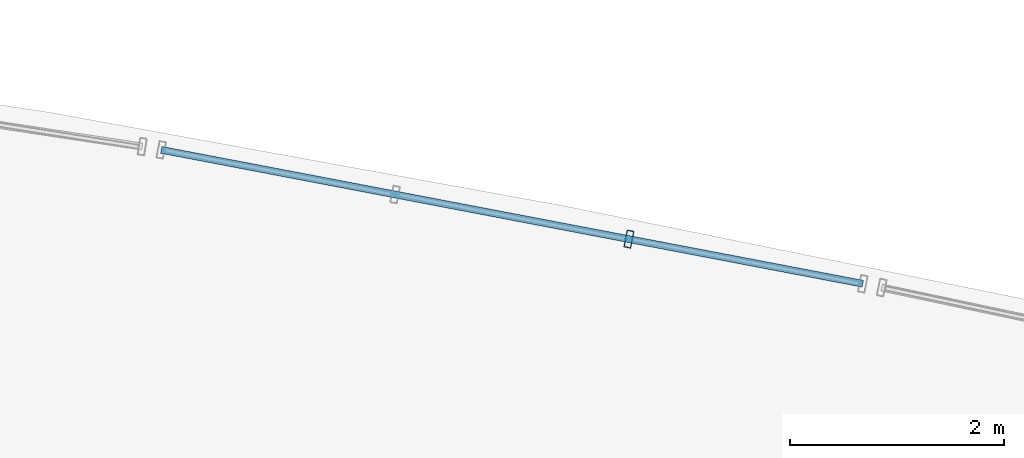
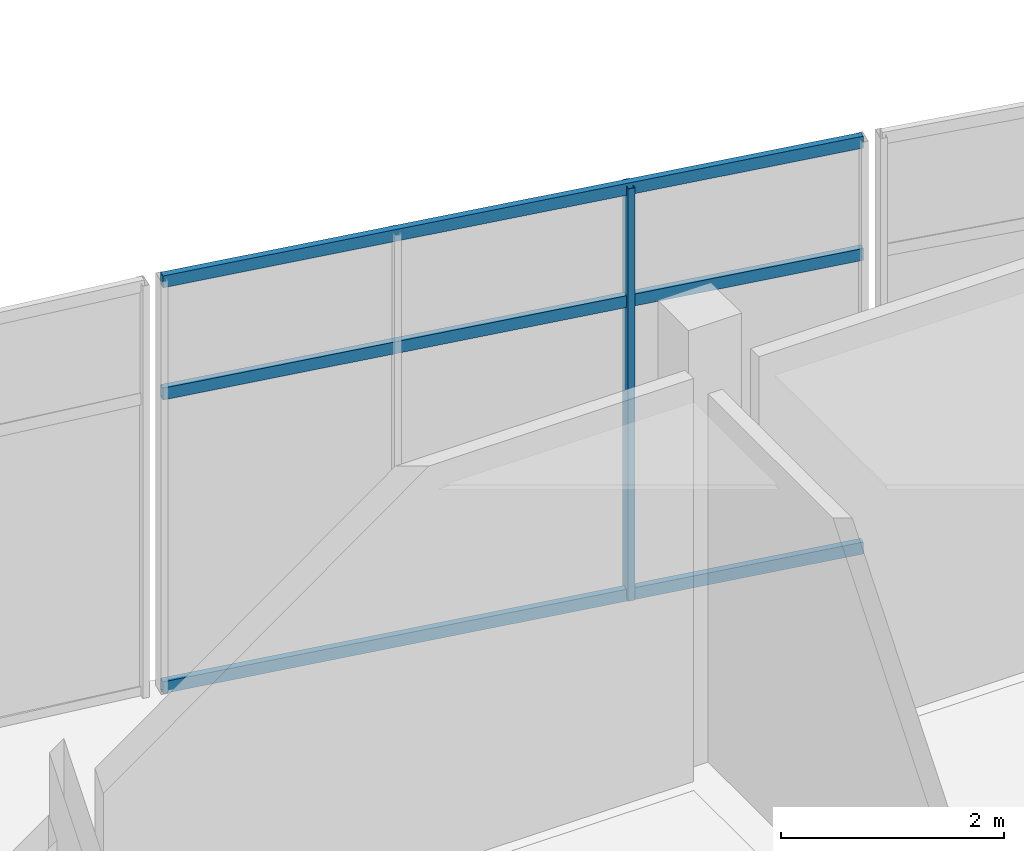
# One storey, part 104 of 157: 4 members, 1 element without a shape of its own.
"""IFC4 building model written with IfcOpenShell, lengths in metres."""

import ifcopenshell
import ifcopenshell.guid

model = None  # the IFC model being written
_history = None  # IfcOwnerHistory: only IFC2X3 demands one
_inside = {}  # id of a spatial element -> (the spatial element, [elements in it])
_under = {}  # id of a project, library or spatial element -> (it, [spatial elements below it])
_declared = {}  # id of a project -> (the project, [libraries it declares])
_typed = {}  # id of a type object -> (the type object, [elements of that type])
_made_of = {}  # id of a material, layer set ... -> (it, [elements and type objects made of it])


def new_model(schema):
    """Start an empty IFC model of exactly this schema.

    Asked for "IFC4X3", IfcOpenShell would pick the latest addendum, in which some entities
    have other attributes; the version numbers below select the first issue.
    IFC2X3 requires an IfcOwnerHistory on every rooted entity: one is made here for all.
    """
    global model, _history
    if schema == "IFC4X3":
        model = ifcopenshell.file(schema_version=(4, 3, 0, 0))
    else:
        model = ifcopenshell.file(schema=schema)
    _inside.clear()
    _under.clear()
    _declared.clear()
    _typed.clear()
    _made_of.clear()
    _history = None
    if model.schema == "IFC2X3":
        org = make("IfcOrganization", Name="unknown")
        user = make(
            "IfcPersonAndOrganization",
            ThePerson=make("IfcPerson", FamilyName="unknown"),
            TheOrganization=org,
        )
        app = make(
            "IfcApplication",
            ApplicationDeveloper=org,
            Version="unknown",
            ApplicationFullName="unknown",
            ApplicationIdentifier="unknown",
        )
        _history = make(
            "IfcOwnerHistory",
            OwningUser=user,
            OwningApplication=app,
            ChangeAction="ADDED",
            CreationDate=0,
        )
    return model


def make(cls, **values):
    """One entity of the class cls with the attributes given. An attribute that is None is left unset."""
    return model.create_entity(
        cls, **{name: value for name, value in values.items() if value is not None}
    )


def rooted(cls, **values):
    """An entity with a GlobalId (a new one), such as an element, a storey or a relation."""
    return make(cls, GlobalId=ifcopenshell.guid.new(), OwnerHistory=_history, **values)


def si_unit(unit_type, name, prefix=None):
    """IfcSIUnit, for example si_unit("LENGTHUNIT", "METRE", prefix="MILLI")."""
    return make("IfcSIUnit", UnitType=unit_type, Prefix=prefix, Name=name)


def assignment(units):
    """IfcUnitAssignment: the units of a project."""
    return None if units is None else make("IfcUnitAssignment", Units=units)


def point(xyz):
    """IfcCartesianPoint."""
    return None if xyz is None else make("IfcCartesianPoint", Coordinates=xyz)


def direction(xyz):
    """IfcDirection."""
    return None if xyz is None else make("IfcDirection", DirectionRatios=xyz)


def frame(location, z_axis=None, x_axis=None):
    """IfcAxis2Placement3D, a coordinate frame: its origin and axes. An axis left out is left unset."""
    return make(
        "IfcAxis2Placement3D",
        Location=point(location),
        Axis=direction(z_axis),
        RefDirection=direction(x_axis),
    )


def frame_2d(location, x_axis=None):
    """IfcAxis2Placement2D, a coordinate frame in the plane: its origin and x axis."""
    return make(
        "IfcAxis2Placement2D", Location=point(location), RefDirection=direction(x_axis)
    )


def origin():
    """The frame at (0, 0, 0) with its axes left unset."""
    return frame((0.0, 0.0, 0.0))


def origin_2d():
    """The frame at (0, 0) in the plane with its x axis left unset."""
    return frame_2d((0.0, 0.0))


def place(relative_to, where):
    """IfcLocalPlacement: puts the frame where relative to a parent placement (None: the world)."""
    return make(
        "IfcLocalPlacement", PlacementRelTo=relative_to, RelativePlacement=where
    )


def context(
    kind, dimensions, precision=None, world=None, true_north=None, identifier=None
):
    """IfcGeometricRepresentationContext, for example the 3D "Model" context."""
    return make(
        "IfcGeometricRepresentationContext",
        ContextIdentifier=identifier,
        ContextType=kind,
        CoordinateSpaceDimension=dimensions,
        Precision=precision,
        WorldCoordinateSystem=world,
        TrueNorth=true_north,
    )


def subcontext(parent, identifier, kind, view, scale=None):
    """IfcGeometricRepresentationSubContext, for example "Body" below "Model"."""
    return make(
        "IfcGeometricRepresentationSubContext",
        ContextIdentifier=identifier,
        ContextType=kind,
        ParentContext=parent,
        TargetScale=scale,
        TargetView=view,
    )


def project(units=None, contexts=None):
    """IfcProject with its units and contexts."""
    return rooted(
        "IfcProject",
        Name="project",
        RepresentationContexts=contexts,
        UnitsInContext=assignment(units),
    )


def spatial(cls, under=None, at=None, **own):
    """A site, building, storey or space (cls), placed at a placement, below another one or the project."""
    s = rooted(cls, ObjectPlacement=at, **own)
    if under is not None:
        _under.setdefault(under.id(), (under, []))[1].append(s)
    return s


def profile(cls, at=None, kind="AREA", **sizes):
    """A parametric profile (cls). Its sizes go by their IFC names, for example OverallWidth=200.0."""
    return make(cls, ProfileType=kind, Position=at, **sizes)


def hollow_rectangle(**sizes):
    """IfcRectangleHollowProfileDef."""
    return profile("IfcRectangleHollowProfileDef", **sizes)


def extrude(swept, where, along, depth):
    """IfcExtrudedAreaSolid: the profile swept, set in the frame where, extruded along a direction by depth."""
    return make(
        "IfcExtrudedAreaSolid",
        SweptArea=swept,
        Position=where,
        ExtrudedDirection=direction(along),
        Depth=depth,
    )


def shape(context_of_items, identifier, shape_type, items):
    """IfcShapeRepresentation: the items that make up one representation, for example the "Body"."""
    return make(
        "IfcShapeRepresentation",
        ContextOfItems=context_of_items,
        RepresentationIdentifier=identifier,
        RepresentationType=shape_type,
        Items=items,
    )


def material(Name=None, Category=None):
    """IfcMaterial."""
    return make("IfcMaterial", Name=Name, Category=Category)


def layer(
    of_material, thickness, ventilated=None, Name=None, Category=None, Priority=None
):
    """IfcMaterialLayer: one layer of a wall or slab, of a material (None: an air gap)."""
    return make(
        "IfcMaterialLayer",
        Material=of_material,
        LayerThickness=thickness,
        IsVentilated=ventilated,
        Name=Name,
        Category=Category,
        Priority=Priority,
    )


def layer_set(layers, Name=None):
    """IfcMaterialLayerSet."""
    return make("IfcMaterialLayerSet", MaterialLayers=layers, LayerSetName=Name)


def material_profile(
    of_material, cross_section, Name=None, Category=None, Priority=None
):
    """IfcMaterialProfile: a cross section and its material."""
    return make(
        "IfcMaterialProfile",
        Name=Name,
        Material=of_material,
        Profile=cross_section,
        Priority=Priority,
        Category=Category,
    )


def profile_set(profiles, Name=None, composite=None):
    """IfcMaterialProfileSet."""
    return make(
        "IfcMaterialProfileSet",
        Name=Name,
        MaterialProfiles=profiles,
        CompositeProfile=composite,
    )


def made_of(thing, what):
    """Note that an element or type object is made of a material, layer set ...; save() writes the relation."""
    if what is not None:
        _made_of.setdefault(what.id(), (what, []))[1].append(thing)
    return thing


def type_object(cls, material=None, **own):
    """A type object (cls), such as IfcWallType, which elements share."""
    return made_of(rooted(cls, **own), material)


def element(
    cls,
    number,
    at=None,
    inside=None,
    cuts=None,
    type_object=None,
    material=None,
    context=None,
    identifier="Body",
    shape_type=None,
    held_by="IfcProductDefinitionShape",
    body=None,
    shapes=None,
    **own,
):
    """One element of the class cls, such as IfcWall. Its Tag is "e" and its number.

    at: its placement. inside: the storey or other place that contains it. cuts: it is an
    opening in that element (IfcRelVoidsElement). A single representation is given by context,
    identifier, shape_type and body (its items); several are given by shapes. held_by: the class
    of the entity that holds the representations. save() writes the other relations.
    """
    e = rooted(cls, Tag="e%d" % number, ObjectPlacement=at, **own)
    if body is not None:
        shapes = [shape(context, identifier, shape_type, body)]
    if shapes is not None:
        e.Representation = make(held_by, Representations=shapes)
    if inside is not None:
        _inside.setdefault(inside.id(), (inside, []))[1].append(e)
    if cuts is not None:
        rooted(
            "IfcRelVoidsElement", RelatingBuildingElement=cuts, RelatedOpeningElement=e
        )
    if type_object is not None:
        _typed.setdefault(type_object.id(), (type_object, []))[1].append(e)
    return made_of(e, material)


def aggregate(whole, parts):
    """IfcRelAggregates: a whole, such as a stair, and the parts it consists of."""
    return rooted("IfcRelAggregates", RelatingObject=whole, RelatedObjects=parts)


def save(model, path):
    """Write the relations noted so far, then the file.

    IfcRelAggregates (storeys below a building ...), IfcRelContainedInSpatialStructure (elements
    in a storey), IfcRelDefinesByType, IfcRelAssociatesMaterial and IfcRelDeclares: one each for
    every whole, place, type object, material and project.
    """
    for whole, parts in _under.values():
        aggregate(whole, parts)
    for where, things in _inside.values():
        rooted(
            "IfcRelContainedInSpatialStructure",
            RelatedElements=things,
            RelatingStructure=where,
        )
    for kind, things in _typed.values():
        rooted("IfcRelDefinesByType", RelatedObjects=things, RelatingType=kind)
    for what, things in _made_of.values():
        rooted("IfcRelAssociatesMaterial", RelatedObjects=things, RelatingMaterial=what)
    for by, libraries in _declared.values():
        rooted("IfcRelDeclares", RelatingContext=by, RelatedDefinitions=libraries)
    model.write(path)


model = new_model("IFC4")

# Units and contexts
model_context = context("Model", 3, precision=1e-05, world=origin(), true_north=direction((0.0, 1.0)))
body_context = subcontext(model_context, "Body", "Model", "MODEL_VIEW")
ifc_project = project(units=[si_unit("LENGTHUNIT", "METRE"), si_unit("AREAUNIT", "SQUARE_METRE"), si_unit("VOLUMEUNIT", "CUBIC_METRE"), si_unit("PLANEANGLEUNIT", "RADIAN"), si_unit("MASSUNIT", "GRAM", prefix="KILO")], contexts=[model_context])

# Site, building, storey
site_placement = place(None, origin())
site = spatial("IfcSite", under=ifc_project, at=site_placement, CompositionType="ELEMENT")
building_placement = place(site_placement, origin())
building = spatial("IfcBuilding", under=site, at=building_placement, Name="Chalmorin Arch Market", CompositionType="ELEMENT")
storey_placement = place(building_placement, frame((0.0, 0.0, 4.800048828125)))
storey = spatial("IfcBuildingStorey", under=building, at=storey_placement, Name="L01", CompositionType="ELEMENT", Elevation=4.800048828125)

# Curtain wall, members
ifc_material = material(Name="Aluminium 6063-T6", Category="aluminium")
ifc_layer = layer(ifc_material, 0.159912109375)
ifc_layer_set = layer_set([ifc_layer], Name="Aluminium 6063-T6")
curtain_wall_type = type_object("IfcCurtainWallType", Name="CulinaryStudioCurtainWall-CW3-6660x4520", PredefinedType="NOTDEFINED", material=ifc_layer_set)
curtain_wall_placement = place(storey_placement, origin())
curtain_wall = element("IfcCurtainWall", 1, at=curtain_wall_placement, inside=storey, type_object=curtain_wall_type, Name="CW-03-145", PredefinedType="NOTDEFINED")
ifc_material_profile_1 = material_profile(ifc_material, hollow_rectangle(XDim=0.06494140625, YDim=0.159912109375, WallThickness=0.00390625, at=origin_2d()), Name="ALU65X160X4")
ifc_profile_set_1 = profile_set([ifc_material_profile_1], Name="Aluminium 6063-T6")
member_type_1 = type_object("IfcMemberType", Name="CurtainWallMullion-65x160", PredefinedType="MULLION", material=ifc_profile_set_1)
member_1_placement = place(storey_placement, frame((106.21044921875, 120.334228515625, 0.0), z_axis=(0.0, 0.0, 1.0), x_axis=(0.981627183448, -0.190808995377, 0.0)))
member_1 = element("IfcMember", 2, at=member_1_placement, type_object=member_type_1, Name="ML-145-03", PredefinedType="MULLION", context=body_context, shape_type="SweptSolid", body=[
    extrude(hollow_rectangle(XDim=0.06494140625, YDim=0.159912109375, WallThickness=0.00390625, at=origin_2d()), origin(), (0.0, 0.0, 1.0), 4.52001953125),
])
ifc_material_profile_2 = material_profile(ifc_material, hollow_rectangle(XDim=0.06494140625, YDim=0.1298828125, WallThickness=0.00390625, at=origin_2d()), Name="ALU65X130X4")
ifc_profile_set_2 = profile_set([ifc_material_profile_2], Name="Aluminium 6063-T6")
member_type_2 = type_object("IfcMemberType", Name="CurtainWallTransom-65x130", PredefinedType="USERDEFINED", material=ifc_profile_set_2)
member_2_placement = place(storey_placement, frame((101.848388671875, 121.1669921875, 0.034912109375), z_axis=(0.982264065399, -0.187502815514, 0.0), x_axis=(0.187502815514, 0.982264065399, 0.0)))
member_2 = element("IfcMember", 3, at=member_2_placement, type_object=member_type_2, Name="TR-145-01", ObjectType="TRANSOM", PredefinedType="USERDEFINED", context=body_context, shape_type="SweptSolid", body=[
    extrude(hollow_rectangle(XDim=0.06494140625, YDim=0.1298828125, WallThickness=0.00390625, at=origin_2d()), origin(), (0.0, 0.0, 1.0), 6.661376953125),
])
member_3_placement = place(storey_placement, frame((101.848388671875, 121.1669921875, 3.25439453125), z_axis=(0.982264065399, -0.187502815514, 0.0), x_axis=(0.187502815514, 0.982264065399, 0.0)))
member_3 = element("IfcMember", 4, at=member_3_placement, type_object=member_type_2, Name="TR-145-02", ObjectType="TRANSOM", PredefinedType="USERDEFINED", context=body_context, shape_type="SweptSolid", body=[
    extrude(hollow_rectangle(XDim=0.06494140625, YDim=0.1298828125, WallThickness=0.00390625, at=origin_2d()), origin(), (0.0, 0.0, 1.0), 6.661376953125),
])
member_4_placement = place(storey_placement, frame((101.848388671875, 121.1669921875, 4.48486328125), z_axis=(0.982264065399, -0.187502815514, 0.0), x_axis=(0.187502815514, 0.982264065399, 0.0)))
member_4 = element("IfcMember", 5, at=member_4_placement, type_object=member_type_2, Name="TR-145-03", ObjectType="TRANSOM", PredefinedType="USERDEFINED", context=body_context, shape_type="SweptSolid", body=[
    extrude(hollow_rectangle(XDim=0.06494140625, YDim=0.1298828125, WallThickness=0.00390625, at=origin_2d()), origin(), (0.0, 0.0, 1.0), 6.661376953125),
])
aggregate(curtain_wall, [member_1, member_2, member_3, member_4])

save(model, "model.ifc")
